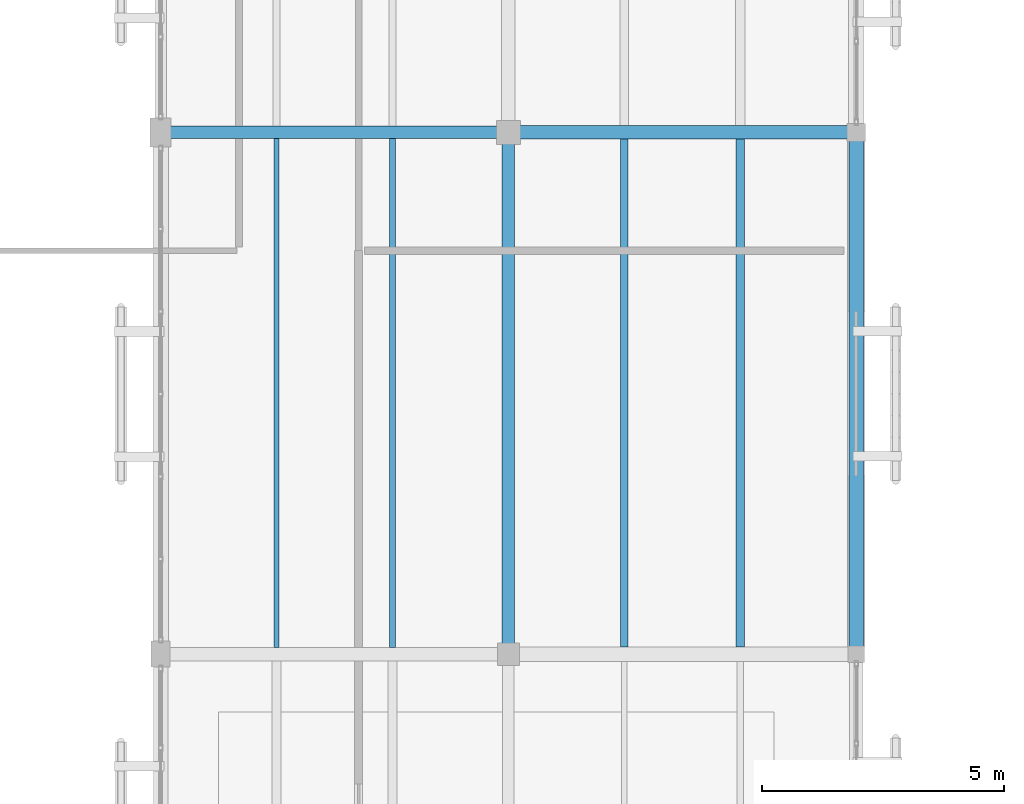
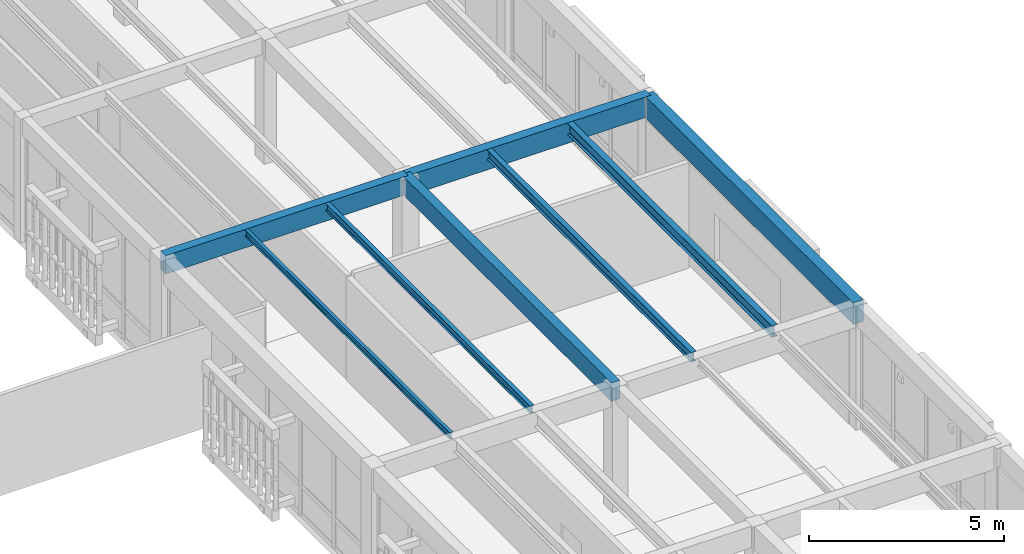
# One storey, part 37 of 217: 8 beams.
"""IFC4 building model written with IfcOpenShell, lengths in metres."""

from ifc_helpers import new_model, si_unit, direction, frame, origin, origin_2d, place, context, subcontext, project, spatial, rectangle, i_section, extrude, material, material_profile, profile_set, type_object, element, save


model = new_model("IFC4")

# Units and contexts
model_context = context("Model", 3, precision=1e-05, world=origin(), true_north=direction((0.0, 1.0)))
body_context = subcontext(model_context, "Body", "Model", "MODEL_VIEW")
ifc_project = project(units=[si_unit("LENGTHUNIT", "METRE"), si_unit("AREAUNIT", "SQUARE_METRE"), si_unit("VOLUMEUNIT", "CUBIC_METRE"), si_unit("PLANEANGLEUNIT", "RADIAN"), si_unit("MASSUNIT", "GRAM", prefix="KILO")], contexts=[model_context])

# Site, building, storey
site_placement = place(None, origin())
site = spatial("IfcSite", under=ifc_project, at=site_placement, CompositionType="ELEMENT")
building_placement = place(site_placement, origin())
building = spatial("IfcBuilding", under=site, at=building_placement, Name="Mazaris Harbour Polytechnic", CompositionType="ELEMENT")
storey_placement = place(building_placement, frame((0.0, 0.0, 9.60009765625)))
storey = spatial("IfcBuildingStorey", under=building, at=storey_placement, Name="L02", CompositionType="ELEMENT", Elevation=9.60009765625)

# Beams
ifc_material_1 = material(Name="Glulam GL32h", Category="wood")
ifc_material_profile_1 = material_profile(ifc_material_1, rectangle(XDim=0.260009765625, YDim=0.580078125, at=origin_2d()), Name="RECT260x580")
ifc_profile_set_1 = profile_set([ifc_material_profile_1], Name="Glulam GL32h")
beam_type_1 = type_object("IfcBeamType", Name="Glulam Girder 260x580", PredefinedType="BEAM", material=ifc_profile_set_1)
beam_1_placement = place(storey_placement, frame((28.800048828125, 54.0, 3.599853515625), z_axis=(1.0, 0.0, 0.0), x_axis=(0.0, 1.0, 0.0)))
element("IfcBeam", 1, at=beam_1_placement, inside=storey, type_object=beam_type_1, Name="V4 L02 Girder 1931", PredefinedType="BEAM", context=body_context, shape_type="SweptSolid", body=[
    extrude(rectangle(XDim=0.260009765625, YDim=0.580078125, at=origin_2d()), origin(), (0.0, 0.0, 1.0), 7.199951171875),
])
beam_2_placement = place(storey_placement, frame((36.0, 43.199951171875, 3.599853515625), z_axis=(0.0, 1.0, 0.0), x_axis=(-1.0, 0.0, 0.0)))
element("IfcBeam", 2, at=beam_2_placement, inside=storey, type_object=beam_type_1, Name="V4 L02 Tie Girder 2026", PredefinedType="BEAM", context=body_context, shape_type="SweptSolid", body=[
    extrude(rectangle(XDim=0.260009765625, YDim=0.580078125, at=origin_2d()), origin(), (0.0, 0.0, 1.0), 10.800048828125),
])
ifc_material_2 = material(Name="Glulam GL32h", Category="wood")
ifc_material_profile_2 = material_profile(ifc_material_2, rectangle(XDim=0.280029296875, YDim=0.639892578125, at=origin_2d()), Name="RECT280x640")
ifc_profile_set_2 = profile_set([ifc_material_profile_2], Name="Glulam GL32h")
beam_type_2 = type_object("IfcBeamType", Name="Glulam Girder 280x640", PredefinedType="BEAM", material=ifc_profile_set_2)
beam_3_placement = place(storey_placement, frame((36.0, 54.0, 3.56982421875), z_axis=(1.0, 0.0, 0.0), x_axis=(0.0, 1.0, 0.0)))
element("IfcBeam", 3, at=beam_3_placement, inside=storey, type_object=beam_type_2, Name="V4 L02 Girder 1932", PredefinedType="BEAM", context=body_context, shape_type="SweptSolid", body=[
    extrude(rectangle(XDim=0.280029296875, YDim=0.639892578125, at=origin_2d()), origin(), (0.0, 0.0, 1.0), 7.199951171875),
])
ifc_material_3 = material(Name="Glulam GL32h", Category="wood")
ifc_material_profile_3 = material_profile(ifc_material_3, rectangle(XDim=0.300048828125, YDim=0.679931640625, at=origin_2d()), Name="RECT300x680")
ifc_profile_set_3 = profile_set([ifc_material_profile_3], Name="Glulam GL32h")
beam_type_3 = type_object("IfcBeamType", Name="Glulam Girder 300x680 Exterior", PredefinedType="BEAM", material=ifc_profile_set_3)
beam_4_placement = place(storey_placement, frame((43.199951171875, 43.199951171875, 3.5498046875), z_axis=(0.0, 1.0, 0.0), x_axis=(-1.0, 0.0, 0.0)))
element("IfcBeam", 4, at=beam_4_placement, inside=storey, type_object=beam_type_3, Name="V4 L02 Tie Girder 2038", PredefinedType="BEAM", context=body_context, shape_type="SweptSolid", body=[
    extrude(rectangle(XDim=0.300048828125, YDim=0.679931640625, at=origin_2d()), origin(), (0.0, 0.0, 1.0), 10.800048828125),
])
ifc_material_4 = material(Name="Steel S355", Category="steel")
ifc_material_profile_4 = material_profile(ifc_material_4, i_section(OverallWidth=0.10009765625, OverallDepth=0.199951171875, WebThickness=0.005615234375, FlangeThickness=0.008544921875, FilletRadius=0.011962890625, at=origin_2d()), Name="IPE 200")
ifc_profile_set_4 = profile_set([ifc_material_profile_4], Name="Steel S355")
beam_type_4 = type_object("IfcBeamType", Name="Steel Joist IPE200", PredefinedType="JOIST", material=ifc_profile_set_4)
beam_5_placement = place(storey_placement, frame((31.199951171875, 43.340087890625, 3.789794921875), z_axis=(0.0, 1.0, 0.0), x_axis=(-1.0, 0.0, 0.0)))
element("IfcBeam", 5, at=beam_5_placement, inside=storey, type_object=beam_type_4, Name="V4 L02 Floor Joist 2128", PredefinedType="JOIST", context=body_context, shape_type="SweptSolid", body=[
    extrude(i_section(OverallWidth=0.10009765625, OverallDepth=0.199951171875, WebThickness=0.005615234375, FlangeThickness=0.008544921875, FilletRadius=0.011962890625, at=origin_2d()), origin(), (0.0, 0.0, 1.0), 10.530029296875),
])
ifc_material_5 = material(Name="Steel S355", Category="steel")
ifc_material_profile_5 = material_profile(ifc_material_5, i_section(OverallWidth=0.1201171875, OverallDepth=0.239990234375, WebThickness=0.006103515625, FlangeThickness=0.009765625, FilletRadius=0.014892578125, at=origin_2d()), Name="IPE 240")
ifc_profile_set_5 = profile_set([ifc_material_profile_5], Name="Steel S355")
beam_type_5 = type_object("IfcBeamType", Name="Steel Joist IPE240", PredefinedType="JOIST", material=ifc_profile_set_5)
beam_6_placement = place(storey_placement, frame((33.60009765625, 43.340087890625, 3.77001953125), z_axis=(0.0, 1.0, 0.0), x_axis=(-1.0, 0.0, 0.0)))
element("IfcBeam", 6, at=beam_6_placement, inside=storey, type_object=beam_type_5, Name="V4 L02 Floor Joist 2129", PredefinedType="JOIST", context=body_context, shape_type="SweptSolid", body=[
    extrude(i_section(OverallWidth=0.1201171875, OverallDepth=0.239990234375, WebThickness=0.006103515625, FlangeThickness=0.009765625, FilletRadius=0.014892578125, at=origin_2d()), origin(), (0.0, 0.0, 1.0), 10.530029296875),
])
ifc_material_6 = material(Name="Steel S355", Category="steel")
ifc_material_profile_6 = material_profile(ifc_material_6, i_section(OverallWidth=0.14990234375, OverallDepth=0.300048828125, WebThickness=0.007080078125, FlangeThickness=0.0107421875, FilletRadius=0.014892578125, at=origin_2d()), Name="IPE 300")
ifc_profile_set_6 = profile_set([ifc_material_profile_6], Name="Steel S355")
beam_type_6 = type_object("IfcBeamType", Name="Steel Joist IPE300", PredefinedType="JOIST", material=ifc_profile_set_6)
beam_7_placement = place(storey_placement, frame((38.39990234375, 43.35009765625, 3.739990234375), z_axis=(0.0, 1.0, 0.0), x_axis=(-1.0, 0.0, 0.0)))
element("IfcBeam", 7, at=beam_7_placement, inside=storey, type_object=beam_type_6, Name="V4 L02 Floor Joist 2152", PredefinedType="JOIST", context=body_context, shape_type="SweptSolid", body=[
    extrude(i_section(OverallWidth=0.14990234375, OverallDepth=0.300048828125, WebThickness=0.007080078125, FlangeThickness=0.0107421875, FilletRadius=0.014892578125, at=origin_2d()), origin(), (0.0, 0.0, 1.0), 10.510009765625),
])
ifc_material_7 = material(Name="Steel S355", Category="steel")
ifc_material_profile_7 = material_profile(ifc_material_7, i_section(OverallWidth=0.169921875, OverallDepth=0.360107421875, WebThickness=0.008056640625, FlangeThickness=0.0126953125, FilletRadius=0.01806640625, at=origin_2d()), Name="IPE 360")
ifc_profile_set_7 = profile_set([ifc_material_profile_7], Name="Steel S355")
beam_type_7 = type_object("IfcBeamType", Name="Steel Joist IPE360", PredefinedType="JOIST", material=ifc_profile_set_7)
beam_8_placement = place(storey_placement, frame((40.800048828125, 43.35009765625, 3.7099609375), z_axis=(0.0, 1.0, 0.0), x_axis=(-1.0, 0.0, 0.0)))
element("IfcBeam", 8, at=beam_8_placement, inside=storey, type_object=beam_type_7, Name="V4 L02 Floor Joist 2153", PredefinedType="JOIST", context=body_context, shape_type="SweptSolid", body=[
    extrude(i_section(OverallWidth=0.169921875, OverallDepth=0.360107421875, WebThickness=0.008056640625, FlangeThickness=0.0126953125, FilletRadius=0.01806640625, at=origin_2d()), origin(), (0.0, 0.0, 1.0), 10.510009765625),
])

save(model, "model.ifc")
